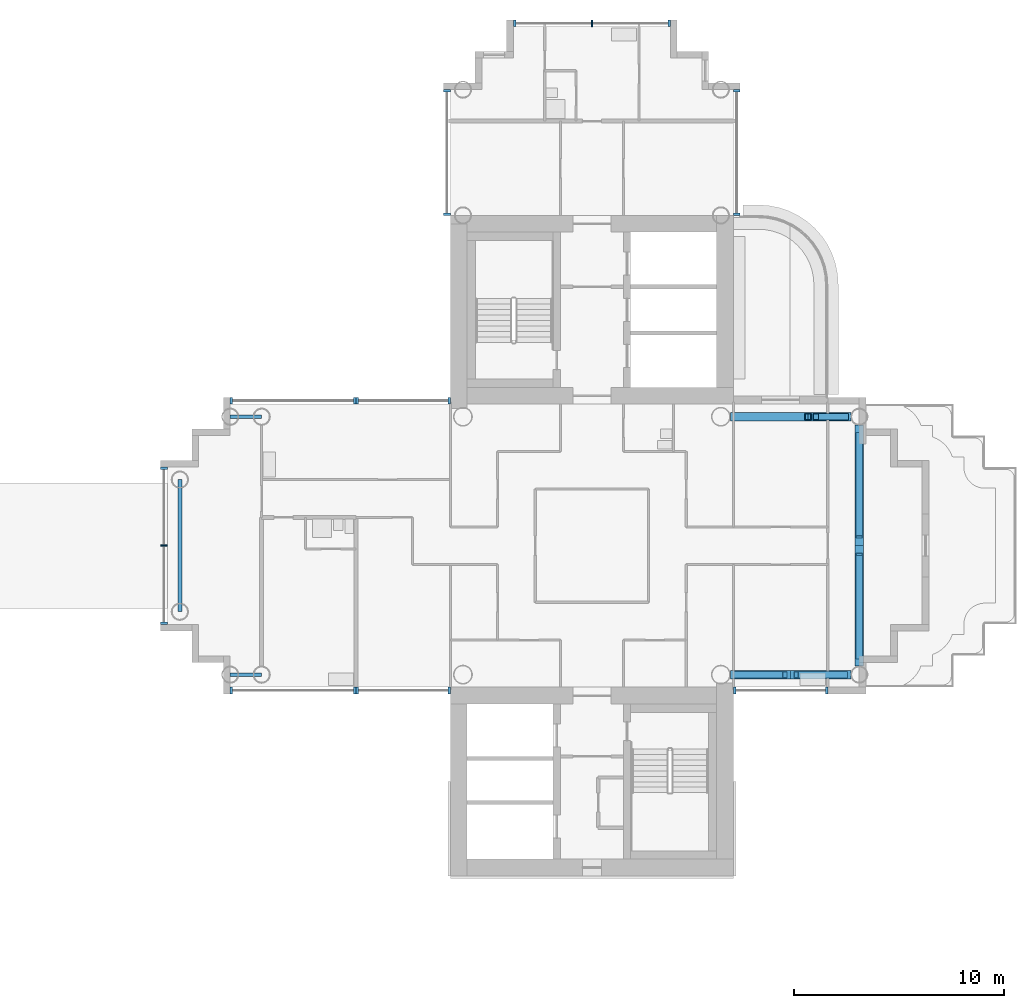
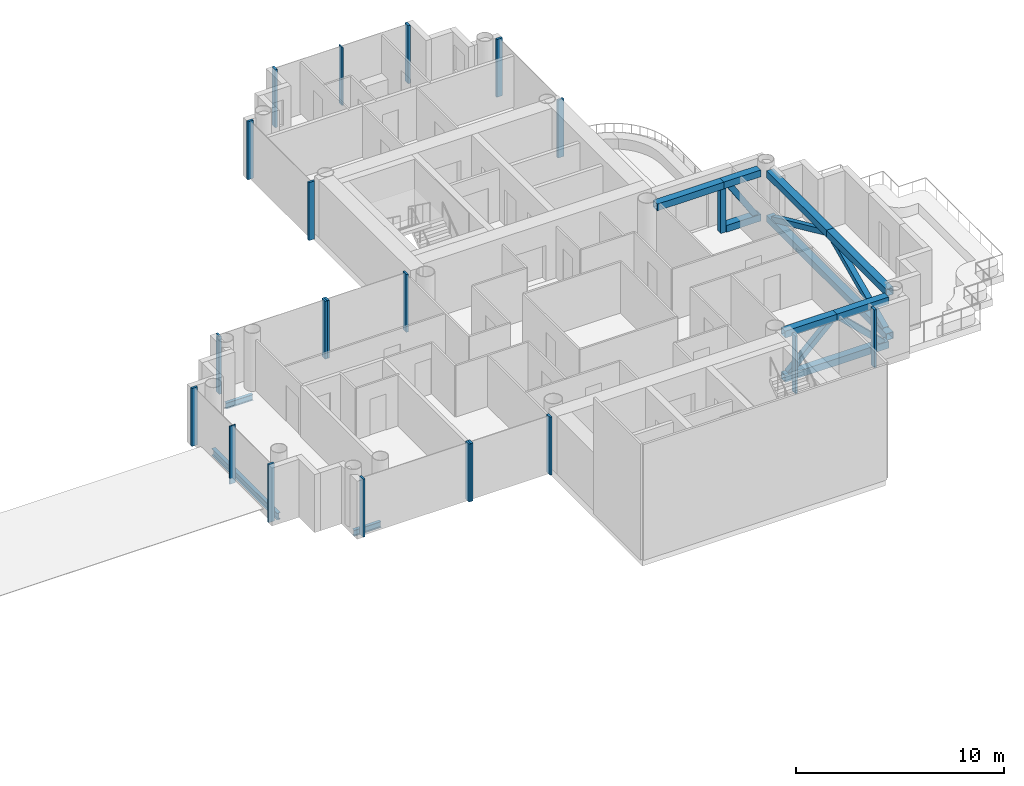
# One storey, part 4 of 19: 35 members, 3 beams, 9 elements without a shape of their own.
"""IFC4 building model written with IfcOpenShell, lengths in metres."""

from ifc_helpers import new_model, si_unit, direction, frame, origin, origin_2d, place, context, subcontext, project, spatial, rectangle, hollow_rectangle, i_section, extrude, material, layer, layer_set, material_profile, profile_set, type_object, element, aggregate, save


model = new_model("IFC4")

# Units and contexts
model_context = context("Model", 3, precision=1e-05, world=origin(), true_north=direction((0.0, 1.0)))
body_context = subcontext(model_context, "Body", "Model", "MODEL_VIEW")
ifc_project = project(units=[si_unit("LENGTHUNIT", "METRE"), si_unit("AREAUNIT", "SQUARE_METRE"), si_unit("VOLUMEUNIT", "CUBIC_METRE"), si_unit("PLANEANGLEUNIT", "RADIAN"), si_unit("MASSUNIT", "GRAM", prefix="KILO")], contexts=[model_context])

# Site, building, storey
site_placement = place(None, origin())
site = spatial("IfcSite", under=ifc_project, at=site_placement, CompositionType="ELEMENT")
building_placement = place(site_placement, origin())
building = spatial("IfcBuilding", under=site, at=building_placement, Name="Ipe Terrace Towers", CompositionType="ELEMENT")
storey_placement = place(building_placement, frame((0.0, 0.0, 133.699951171875)))
storey = spatial("IfcBuildingStorey", under=building, at=storey_placement, Name="L36", CompositionType="ELEMENT", Elevation=133.699951171875)

# Members
ifc_material_1 = material(Name="Steel S355", Category="steel")
ifc_material_profile_1 = material_profile(ifc_material_1, hollow_rectangle(XDim=0.300048828125, YDim=0.300048828125, WallThickness=0.01611328125, at=origin_2d()), Name="BELT-BRACE BOX 300x300x16")
ifc_profile_set_1 = profile_set([ifc_material_profile_1], Name="Steel S355")
member_type_1 = type_object("IfcMemberType", Name="BELT-BRACE BOX 300x300x16", PredefinedType="BRACE", material=ifc_profile_set_1)
member_1_placement = place(storey_placement, frame((48.116943359375, 6.14990234375, 0.380126953125), z_axis=(-0.539118816942, 0.0, 0.842229719981), x_axis=(0.0, -1.0, 0.0)))
element("IfcMember", 1, at=member_1_placement, inside=storey, type_object=member_type_1, Name="T2-BT-L36-047 diagonal", PredefinedType="BRACE", context=body_context, shape_type="SweptSolid", body=[
    extrude(hollow_rectangle(XDim=0.300048828125, YDim=0.300048828125, WallThickness=0.01611328125, at=origin_2d()), origin(), (0.0, 0.0, 1.0), 2.65966796875),
])
for number, where, z_axis, x_axis, name in (
    (2, (42.8701171875, -6.14990234375, 0.380126953125), (0.721630032247, 0.0, 0.692278915293), (0.0, 1.0, 0.0), "T2-BT-L36-052 diagonal"),
    (3, (48.080078125, -6.14990234375, 0.380126953125), (-0.721630032247, 0.0, 0.692278915293), (0.0, -1.0, 0.0), "T2-BT-L36-053 diagonal"),
):
    element("IfcMember", number, at=place(storey_placement, frame(where, z_axis=z_axis, x_axis=x_axis)), inside=storey, type_object=member_type_1, Name=name, PredefinedType="BRACE", context=body_context, shape_type="SweptSolid", body=[
        extrude(hollow_rectangle(XDim=0.300048828125, YDim=0.300048828125, WallThickness=0.01611328125, at=origin_2d()), origin(), (0.0, 0.0, 1.0), 3.235595703125),
    ])
for number, where, z_axis, x_axis, name in (
    (4, (48.75, -5.3330078125, 0.380126953125), (0.0, 0.909986915477, 0.414636966105), (-1.0, 0.0, 0.0), "T2-BT-L36-057 diagonal"),
    (5, (48.75, 5.3330078125, 0.380126953125), (0.0, -0.909986915477, 0.414636966105), (1.0, 0.0, 0.0), "T2-BT-L36-058 diagonal"),
):
    element("IfcMember", number, at=place(storey_placement, frame(where, z_axis=z_axis, x_axis=x_axis)), inside=storey, type_object=member_type_1, Name=name, PredefinedType="BRACE", context=body_context, shape_type="SweptSolid", body=[
        extrude(hollow_rectangle(XDim=0.300048828125, YDim=0.300048828125, WallThickness=0.01611328125, at=origin_2d()), origin(), (0.0, 0.0, 1.0), 5.40234375),
    ])
ifc_material_2 = material(Name="Steel S355", Category="steel")
ifc_material_profile_2 = material_profile(ifc_material_2, hollow_rectangle(XDim=0.39990234375, YDim=0.39990234375, WallThickness=0.02001953125, at=origin_2d()), Name="BELT-CHORD BOX 400x400x20")
ifc_profile_set_2 = profile_set([ifc_material_profile_2], Name="Steel S355")
member_type_2 = type_object("IfcMemberType", Name="BELT-CHORD BOX 400x400x20", PredefinedType="CHORD", material=ifc_profile_set_2)
member_2_placement = place(storey_placement, frame((46.449951171875, 6.14990234375, 0.199951171875), z_axis=(1.0, 0.0, 0.0), x_axis=(0.0, 1.0, 0.0)))
element("IfcMember", 6, at=member_2_placement, inside=storey, type_object=member_type_2, Name="T2-BT-L36-046 bottom chord", PredefinedType="CHORD", context=body_context, shape_type="SweptSolid", body=[
    extrude(hollow_rectangle(XDim=0.39990234375, YDim=0.39990234375, WallThickness=0.02001953125, at=origin_2d()), origin(), (0.0, 0.0, 1.0), 1.900146484375),
])
member_3_placement = place(storey_placement, frame((42.60009765625, 6.14990234375, 2.800048828125), z_axis=(1.0, 0.0, 0.0), x_axis=(0.0, 1.0, 0.0)))
element("IfcMember", 7, at=member_3_placement, inside=storey, type_object=member_type_2, Name="T2-BT-L36-049 top chord", PredefinedType="CHORD", context=body_context, shape_type="SweptSolid", body=[
    extrude(hollow_rectangle(XDim=0.39990234375, YDim=0.39990234375, WallThickness=0.02001953125, at=origin_2d()), origin(), (0.0, 0.0, 1.0), 3.699951171875),
])
member_4_placement = place(storey_placement, frame((46.300048828125, 6.14990234375, 2.800048828125), z_axis=(1.0, 0.0, 0.0), x_axis=(0.0, 1.0, 0.0)))
element("IfcMember", 8, at=member_4_placement, inside=storey, type_object=member_type_2, Name="T2-BT-L36-050 top chord", PredefinedType="CHORD", context=body_context, shape_type="SweptSolid", body=[
    extrude(hollow_rectangle(XDim=0.39990234375, YDim=0.39990234375, WallThickness=0.02001953125, at=origin_2d()), origin(), (0.0, 0.0, 1.0), 2.050048828125),
])
member_5_placement = place(storey_placement, frame((42.60009765625, -6.14990234375, 0.199951171875), z_axis=(1.0, 0.0, 0.0), x_axis=(0.0, 1.0, 0.0)))
element("IfcMember", 9, at=member_5_placement, inside=storey, type_object=member_type_2, Name="T2-BT-L36-051 bottom chord", PredefinedType="CHORD", context=body_context, shape_type="SweptSolid", body=[
    extrude(hollow_rectangle(XDim=0.39990234375, YDim=0.39990234375, WallThickness=0.02001953125, at=origin_2d()), origin(), (0.0, 0.0, 1.0), 5.75),
])
for number, where, z_axis, x_axis, name in (
    (10, (42.60009765625, -6.14990234375, 2.800048828125), (1.0, 0.0, 0.0), (0.0, 1.0, 0.0), "T2-BT-L36-054 top chord"),
    (11, (45.47509765625, -6.14990234375, 2.800048828125), (1.0, 0.0, 0.0), (0.0, 1.0, 0.0), "T2-BT-L36-055 top chord"),
):
    element("IfcMember", number, at=place(storey_placement, frame(where, z_axis=z_axis, x_axis=x_axis)), inside=storey, type_object=member_type_2, Name=name, PredefinedType="CHORD", context=body_context, shape_type="SweptSolid", body=[
        extrude(hollow_rectangle(XDim=0.39990234375, YDim=0.39990234375, WallThickness=0.02001953125, at=origin_2d()), origin(), (0.0, 0.0, 1.0), 2.875),
    ])
member_6_placement = place(storey_placement, frame((48.75, -5.75, 0.199951171875), z_axis=(0.0, 1.0, 0.0), x_axis=(-1.0, 0.0, 0.0)))
element("IfcMember", 12, at=member_6_placement, inside=storey, type_object=member_type_2, Name="T2-BT-L36-056 bottom chord", PredefinedType="CHORD", context=body_context, shape_type="SweptSolid", body=[
    extrude(hollow_rectangle(XDim=0.39990234375, YDim=0.39990234375, WallThickness=0.02001953125, at=origin_2d()), origin(), (0.0, 0.0, 1.0), 11.5),
])
for number, where, z_axis, x_axis, name in (
    (13, (48.75, -5.75, 2.800048828125), (0.0, 1.0, 0.0), (-1.0, 0.0, 0.0), "T2-BT-L36-059 top chord"),
    (14, (48.75, 0.0, 2.800048828125), (0.0, 1.0, 0.0), (-1.0, 0.0, 0.0), "T2-BT-L36-060 top chord"),
):
    element("IfcMember", number, at=place(storey_placement, frame(where, z_axis=z_axis, x_axis=x_axis)), inside=storey, type_object=member_type_2, Name=name, PredefinedType="CHORD", context=body_context, shape_type="SweptSolid", body=[
        extrude(hollow_rectangle(XDim=0.39990234375, YDim=0.39990234375, WallThickness=0.02001953125, at=origin_2d()), origin(), (0.0, 0.0, 1.0), 5.75),
    ])
ifc_material_3 = material(Name="Steel S355", Category="steel")
ifc_material_profile_3 = material_profile(ifc_material_3, hollow_rectangle(XDim=0.300048828125, YDim=0.300048828125, WallThickness=0.01611328125, at=origin_2d()), Name="BELT-POST BOX 300x300x16")
ifc_profile_set_3 = profile_set([ifc_material_profile_3], Name="Steel S355")
member_type_3 = type_object("IfcMemberType", Name="BELT-POST BOX 300x300x16", PredefinedType="POST", material=ifc_profile_set_3)
member_7_placement = place(storey_placement, frame((46.300048828125, 6.14990234375, 0.0), z_axis=(0.0, 0.0, 1.0), x_axis=(1.0, 0.0, 0.0)))
element("IfcMember", 15, at=member_7_placement, inside=storey, type_object=member_type_3, Name="T2-BT-L36-048 post", PredefinedType="POST", context=body_context, shape_type="SweptSolid", body=[
    extrude(hollow_rectangle(XDim=0.300048828125, YDim=0.300048828125, WallThickness=0.01611328125, at=origin_2d()), origin(), (0.0, 0.0, 1.0), 2.60009765625),
])

# Beams
ifc_material_4 = material(Name="Steel S355", Category="steel")
ifc_material_profile_4 = material_profile(ifc_material_4, i_section(OverallWidth=0.175048828125, OverallDepth=0.35009765625, WebThickness=0.007080078125, FlangeThickness=0.010986328125, at=origin_2d()), Name="H-350x175x7x11")
ifc_profile_set_4 = profile_set([ifc_material_profile_4], Name="Steel S355")
beam_type_1 = type_object("IfcBeamType", Name="H04 EDGE BEAM H-350x175x7x11", PredefinedType="BEAM", material=ifc_profile_set_4)
for number, where, z_axis, x_axis, name in (
    (16, (20.25, 6.14990234375, -0.574951171875), (-1.0, 0.0, 0.0), (0.0, -1.0, 0.0), "Edge beam T2-EB-B03-B05"),
    (17, (20.25, -6.14990234375, -0.574951171875), (-1.0, 0.0, 0.0), (0.0, -1.0, 0.0), "Edge beam T2-EB-B04-B06"),
):
    element("IfcBeam", number, at=place(storey_placement, frame(where, z_axis=z_axis, x_axis=x_axis)), inside=storey, type_object=beam_type_1, Name=name, PredefinedType="BEAM", context=body_context, shape_type="SweptSolid", body=[
        extrude(i_section(OverallWidth=0.175048828125, OverallDepth=0.35009765625, WebThickness=0.007080078125, FlangeThickness=0.010986328125, at=origin_2d()), origin(), (0.0, 0.0, 1.0), 1.5),
    ])
ifc_material_5 = material(Name="Steel S355", Category="steel")
ifc_material_profile_5 = material_profile(ifc_material_5, i_section(OverallWidth=0.199951171875, OverallDepth=0.39990234375, WebThickness=0.008056640625, FlangeThickness=0.012939453125, at=origin_2d()), Name="H-400x200x8x13")
ifc_profile_set_5 = profile_set([ifc_material_profile_5], Name="Steel S355")
beam_type_2 = type_object("IfcBeamType", Name="H06 EDGE BEAM H-400x200x8x13", PredefinedType="BEAM", material=ifc_profile_set_5)
beam_placement = place(storey_placement, frame((16.35009765625, 3.14990234375, -0.599853515625), z_axis=(0.0, -1.0, 0.0), x_axis=(1.0, 0.0, 0.0)))
element("IfcBeam", 18, at=beam_placement, inside=storey, type_object=beam_type_2, Name="Edge beam T2-EB-B07-B08", PredefinedType="BEAM", context=body_context, shape_type="SweptSolid", body=[
    extrude(i_section(OverallWidth=0.199951171875, OverallDepth=0.39990234375, WebThickness=0.008056640625, FlangeThickness=0.012939453125, at=origin_2d()), origin(), (0.0, 0.0, 1.0), 6.2998046875),
])

# Curtain wall, members
ifc_material_6 = material(Name="Aluminium alloy 6063-T6", Category="aluminium")
ifc_layer = layer(ifc_material_6, 0.320068359375)
ifc_layer_set = layer_set([ifc_layer], Name="TOWER UNITISED CURTAIN WALL")
curtain_wall_type = type_object("IfcCurtainWallType", Name="TOWER UNITISED CURTAIN WALL", PredefinedType="NOTDEFINED", material=ifc_layer_set)
curtain_wall_1_placement = place(storey_placement, origin())
curtain_wall_1 = element("IfcCurtainWall", 19, at=curtain_wall_1_placement, inside=storey, type_object=curtain_wall_type, Name="T2-CW-L36-02a curtain wall", PredefinedType="NOTDEFINED")
ifc_material_7 = material(Name="Aluminium alloy 6063-T6", Category="aluminium")
ifc_material_profile_6 = material_profile(ifc_material_7, rectangle(XDim=0.320068359375, YDim=0.1201171875, at=origin_2d()), Name="TOWER UNITISED CORNER MULLION 320 x 120")
ifc_profile_set_6 = profile_set([ifc_material_profile_6], Name="Aluminium alloy 6063-T6")
member_type_4 = type_object("IfcMemberType", Name="TOWER UNITISED CORNER MULLION 320 x 120", PredefinedType="MULLION", material=ifc_profile_set_6)
member_8_placement = place(storey_placement, frame((42.81005859375, -6.909912109375, -0.300048828125), z_axis=(0.0, 0.0, 1.0), x_axis=(0.0, -1.0, 0.0)))
member_8 = element("IfcMember", 20, at=member_8_placement, type_object=member_type_4, Name="T2-CW-L36-02a mullion 1", PredefinedType="MULLION", context=body_context, shape_type="SweptSolid", body=[
    extrude(rectangle(XDim=0.320068359375, YDim=0.1201171875, at=origin_2d()), origin(), (0.0, 0.0, 1.0), 3.400146484375),
])
member_9_placement = place(storey_placement, frame((47.18994140625, -6.909912109375, -0.300048828125), z_axis=(0.0, 0.0, 1.0), x_axis=(0.0, -1.0, 0.0)))
member_9 = element("IfcMember", 21, at=member_9_placement, type_object=member_type_4, Name="T2-CW-L36-02a mullion 2", PredefinedType="MULLION", context=body_context, shape_type="SweptSolid", body=[
    extrude(rectangle(XDim=0.320068359375, YDim=0.1201171875, at=origin_2d()), origin(), (0.0, 0.0, 1.0), 3.400146484375),
])
aggregate(curtain_wall_1, [member_8, member_9])

curtain_wall_2_placement = place(storey_placement, origin())
curtain_wall_2 = element("IfcCurtainWall", 22, at=curtain_wall_2_placement, inside=storey, type_object=curtain_wall_type, Name="T2-CW-L36-16b curtain wall", PredefinedType="NOTDEFINED")
member_10_placement = place(storey_placement, frame((42.909912109375, 15.81103515625, -0.300048828125), z_axis=(0.0, 0.0, 1.0), x_axis=(1.0, 0.0, 0.0)))
member_10 = element("IfcMember", 23, at=member_10_placement, type_object=member_type_4, Name="T2-CW-L36-16b mullion 1", PredefinedType="MULLION", context=body_context, shape_type="SweptSolid", body=[
    extrude(rectangle(XDim=0.320068359375, YDim=0.1201171875, at=origin_2d()), origin(), (0.0, 0.0, 1.0), 3.400146484375),
])
member_11_placement = place(storey_placement, frame((42.909912109375, 21.68994140625, -0.300048828125), z_axis=(0.0, 0.0, 1.0), x_axis=(1.0, 0.0, 0.0)))
member_11 = element("IfcMember", 24, at=member_11_placement, type_object=member_type_4, Name="T2-CW-L36-16b mullion 2", PredefinedType="MULLION", context=body_context, shape_type="SweptSolid", body=[
    extrude(rectangle(XDim=0.320068359375, YDim=0.1201171875, at=origin_2d()), origin(), (0.0, 0.0, 1.0), 3.400146484375),
])
aggregate(curtain_wall_2, [member_10, member_11])

curtain_wall_3_placement = place(storey_placement, origin())
curtain_wall_3 = element("IfcCurtainWall", 25, at=curtain_wall_3_placement, inside=storey, type_object=curtain_wall_type, Name="T2-CW-L36-21a curtain wall", PredefinedType="NOTDEFINED")
member_12_placement = place(storey_placement, frame((39.68994140625, 24.909912109375, -0.300048828125), z_axis=(0.0, 0.0, 1.0), x_axis=(0.0, 1.0, 0.0)))
member_12 = element("IfcMember", 26, at=member_12_placement, type_object=member_type_4, Name="T2-CW-L36-21a mullion 1", PredefinedType="MULLION", context=body_context, shape_type="SweptSolid", body=[
    extrude(rectangle(XDim=0.320068359375, YDim=0.1201171875, at=origin_2d()), origin(), (0.0, 0.0, 1.0), 3.400146484375),
])
member_13_placement = place(storey_placement, frame((32.31005859375, 24.909912109375, -0.300048828125), z_axis=(0.0, 0.0, 1.0), x_axis=(0.0, 1.0, 0.0)))
member_13 = element("IfcMember", 27, at=member_13_placement, type_object=member_type_4, Name="T2-CW-L36-21a mullion 3", PredefinedType="MULLION", context=body_context, shape_type="SweptSolid", body=[
    extrude(rectangle(XDim=0.320068359375, YDim=0.1201171875, at=origin_2d()), origin(), (0.0, 0.0, 1.0), 3.400146484375),
])

curtain_wall_4_placement = place(storey_placement, origin())
curtain_wall_4 = element("IfcCurtainWall", 28, at=curtain_wall_4_placement, inside=storey, type_object=curtain_wall_type, Name="T2-CW-L36-26a curtain wall", PredefinedType="NOTDEFINED")
member_14_placement = place(storey_placement, frame((29.090087890625, 21.68994140625, -0.300048828125), z_axis=(0.0, 0.0, 1.0), x_axis=(-1.0, 0.0, 0.0)))
member_14 = element("IfcMember", 29, at=member_14_placement, type_object=member_type_4, Name="T2-CW-L36-26a mullion 1", PredefinedType="MULLION", context=body_context, shape_type="SweptSolid", body=[
    extrude(rectangle(XDim=0.320068359375, YDim=0.1201171875, at=origin_2d()), origin(), (0.0, 0.0, 1.0), 3.400146484375),
])
member_15_placement = place(storey_placement, frame((29.090087890625, 15.81103515625, -0.300048828125), z_axis=(0.0, 0.0, 1.0), x_axis=(-1.0, 0.0, 0.0)))
member_15 = element("IfcMember", 30, at=member_15_placement, type_object=member_type_4, Name="T2-CW-L36-26a mullion 2", PredefinedType="MULLION", context=body_context, shape_type="SweptSolid", body=[
    extrude(rectangle(XDim=0.320068359375, YDim=0.1201171875, at=origin_2d()), origin(), (0.0, 0.0, 1.0), 3.400146484375),
])
aggregate(curtain_wall_4, [member_14, member_15])

curtain_wall_5_placement = place(storey_placement, origin())
curtain_wall_5 = element("IfcCurtainWall", 31, at=curtain_wall_5_placement, inside=storey, type_object=curtain_wall_type, Name="T2-CW-L36-28a curtain wall", PredefinedType="NOTDEFINED")
member_16_placement = place(storey_placement, frame((29.18994140625, 6.909912109375, -0.300048828125), z_axis=(0.0, 0.0, 1.0), x_axis=(0.0, 1.0, 0.0)))
member_16 = element("IfcMember", 32, at=member_16_placement, type_object=member_type_4, Name="T2-CW-L36-28a mullion 1", PredefinedType="MULLION", context=body_context, shape_type="SweptSolid", body=[
    extrude(rectangle(XDim=0.320068359375, YDim=0.1201171875, at=origin_2d()), origin(), (0.0, 0.0, 1.0), 3.400146484375),
])
member_17_placement = place(storey_placement, frame((24.81005859375, 6.909912109375, -0.300048828125), z_axis=(0.0, 0.0, 1.0), x_axis=(0.0, 1.0, 0.0)))
member_17 = element("IfcMember", 33, at=member_17_placement, type_object=member_type_4, Name="T2-CW-L36-28a mullion 2", PredefinedType="MULLION", context=body_context, shape_type="SweptSolid", body=[
    extrude(rectangle(XDim=0.320068359375, YDim=0.1201171875, at=origin_2d()), origin(), (0.0, 0.0, 1.0), 3.400146484375),
])
aggregate(curtain_wall_5, [member_16, member_17])

curtain_wall_6_placement = place(storey_placement, origin())
curtain_wall_6 = element("IfcCurtainWall", 34, at=curtain_wall_6_placement, inside=storey, type_object=curtain_wall_type, Name="T2-CW-L36-29a curtain wall", PredefinedType="NOTDEFINED")
member_18_placement = place(storey_placement, frame((24.68994140625, 6.909912109375, -0.300048828125), z_axis=(0.0, 0.0, 1.0), x_axis=(0.0, 1.0, 0.0)))
member_18 = element("IfcMember", 35, at=member_18_placement, type_object=member_type_4, Name="T2-CW-L36-29a mullion 1", PredefinedType="MULLION", context=body_context, shape_type="SweptSolid", body=[
    extrude(rectangle(XDim=0.320068359375, YDim=0.1201171875, at=origin_2d()), origin(), (0.0, 0.0, 1.0), 3.400146484375),
])
member_19_placement = place(storey_placement, frame((18.81005859375, 6.909912109375, -0.300048828125), z_axis=(0.0, 0.0, 1.0), x_axis=(0.0, 1.0, 0.0)))
member_19 = element("IfcMember", 36, at=member_19_placement, type_object=member_type_4, Name="T2-CW-L36-29a mullion 2", PredefinedType="MULLION", context=body_context, shape_type="SweptSolid", body=[
    extrude(rectangle(XDim=0.320068359375, YDim=0.1201171875, at=origin_2d()), origin(), (0.0, 0.0, 1.0), 3.400146484375),
])
aggregate(curtain_wall_6, [member_18, member_19])

curtain_wall_7_placement = place(storey_placement, origin())
curtain_wall_7 = element("IfcCurtainWall", 37, at=curtain_wall_7_placement, inside=storey, type_object=curtain_wall_type, Name="T2-CW-L36-34a curtain wall", PredefinedType="NOTDEFINED")
member_20_placement = place(storey_placement, frame((15.590087890625, 3.68994140625, -0.300048828125), z_axis=(0.0, 0.0, 1.0), x_axis=(-1.0, 0.0, 0.0)))
member_20 = element("IfcMember", 38, at=member_20_placement, type_object=member_type_4, Name="T2-CW-L36-34a mullion 1", PredefinedType="MULLION", context=body_context, shape_type="SweptSolid", body=[
    extrude(rectangle(XDim=0.320068359375, YDim=0.1201171875, at=origin_2d()), origin(), (0.0, 0.0, 1.0), 3.400146484375),
])
member_21_placement = place(storey_placement, frame((15.590087890625, -3.68994140625, -0.300048828125), z_axis=(0.0, 0.0, 1.0), x_axis=(-1.0, 0.0, 0.0)))
member_21 = element("IfcMember", 39, at=member_21_placement, type_object=member_type_4, Name="T2-CW-L36-34a mullion 3", PredefinedType="MULLION", context=body_context, shape_type="SweptSolid", body=[
    extrude(rectangle(XDim=0.320068359375, YDim=0.1201171875, at=origin_2d()), origin(), (0.0, 0.0, 1.0), 3.400146484375),
])

curtain_wall_8_placement = place(storey_placement, origin())
curtain_wall_8 = element("IfcCurtainWall", 40, at=curtain_wall_8_placement, inside=storey, type_object=curtain_wall_type, Name="T2-CW-L36-39a curtain wall", PredefinedType="NOTDEFINED")
member_22_placement = place(storey_placement, frame((18.81005859375, -6.909912109375, -0.300048828125), z_axis=(0.0, 0.0, 1.0), x_axis=(0.0, -1.0, 0.0)))
member_22 = element("IfcMember", 41, at=member_22_placement, type_object=member_type_4, Name="T2-CW-L36-39a mullion 1", PredefinedType="MULLION", context=body_context, shape_type="SweptSolid", body=[
    extrude(rectangle(XDim=0.320068359375, YDim=0.1201171875, at=origin_2d()), origin(), (0.0, 0.0, 1.0), 3.400146484375),
])
member_23_placement = place(storey_placement, frame((24.68994140625, -6.909912109375, -0.300048828125), z_axis=(0.0, 0.0, 1.0), x_axis=(0.0, -1.0, 0.0)))
member_23 = element("IfcMember", 42, at=member_23_placement, type_object=member_type_4, Name="T2-CW-L36-39a mullion 2", PredefinedType="MULLION", context=body_context, shape_type="SweptSolid", body=[
    extrude(rectangle(XDim=0.320068359375, YDim=0.1201171875, at=origin_2d()), origin(), (0.0, 0.0, 1.0), 3.400146484375),
])
aggregate(curtain_wall_8, [member_22, member_23])

curtain_wall_9_placement = place(storey_placement, origin())
curtain_wall_9 = element("IfcCurtainWall", 43, at=curtain_wall_9_placement, inside=storey, type_object=curtain_wall_type, Name="T2-CW-L36-40a curtain wall", PredefinedType="NOTDEFINED")
member_24_placement = place(storey_placement, frame((24.81005859375, -6.909912109375, -0.300048828125), z_axis=(0.0, 0.0, 1.0), x_axis=(0.0, -1.0, 0.0)))
member_24 = element("IfcMember", 44, at=member_24_placement, type_object=member_type_4, Name="T2-CW-L36-40a mullion 1", PredefinedType="MULLION", context=body_context, shape_type="SweptSolid", body=[
    extrude(rectangle(XDim=0.320068359375, YDim=0.1201171875, at=origin_2d()), origin(), (0.0, 0.0, 1.0), 3.400146484375),
])
member_25_placement = place(storey_placement, frame((29.18994140625, -6.909912109375, -0.300048828125), z_axis=(0.0, 0.0, 1.0), x_axis=(0.0, -1.0, 0.0)))
member_25 = element("IfcMember", 45, at=member_25_placement, type_object=member_type_4, Name="T2-CW-L36-40a mullion 2", PredefinedType="MULLION", context=body_context, shape_type="SweptSolid", body=[
    extrude(rectangle(XDim=0.320068359375, YDim=0.1201171875, at=origin_2d()), origin(), (0.0, 0.0, 1.0), 3.400146484375),
])
aggregate(curtain_wall_9, [member_24, member_25])

# Member
ifc_material_8 = material(Name="Aluminium alloy 6063-T6", Category="aluminium")
ifc_material_profile_7 = material_profile(ifc_material_8, rectangle(XDim=0.320068359375, YDim=0.06494140625, at=origin_2d()), Name="TOWER UNITISED MULLION 320 x 65")
ifc_profile_set_7 = profile_set([ifc_material_profile_7], Name="Aluminium alloy 6063-T6")
member_type_5 = type_object("IfcMemberType", Name="TOWER UNITISED MULLION 320 x 65", PredefinedType="MULLION", material=ifc_profile_set_7)
member_26_placement = place(storey_placement, frame((36.0, 24.909912109375, -0.300048828125), z_axis=(0.0, 0.0, 1.0), x_axis=(0.0, 1.0, 0.0)))
member_26 = element("IfcMember", 46, at=member_26_placement, type_object=member_type_5, Name="T2-CW-L36-21a mullion 2", PredefinedType="MULLION", context=body_context, shape_type="SweptSolid", body=[
    extrude(rectangle(XDim=0.320068359375, YDim=0.06494140625, at=origin_2d()), origin(), (0.0, 0.0, 1.0), 3.400146484375),
])

aggregate(curtain_wall_3, [member_12, member_26, member_13])

member_27_placement = place(storey_placement, frame((15.590087890625, 0.0, -0.300048828125), z_axis=(0.0, 0.0, 1.0), x_axis=(-1.0, 0.0, 0.0)))
member_27 = element("IfcMember", 47, at=member_27_placement, type_object=member_type_5, Name="T2-CW-L36-34a mullion 2", PredefinedType="MULLION", context=body_context, shape_type="SweptSolid", body=[
    extrude(rectangle(XDim=0.320068359375, YDim=0.06494140625, at=origin_2d()), origin(), (0.0, 0.0, 1.0), 3.400146484375),
])

aggregate(curtain_wall_7, [member_20, member_27, member_21])

save(model, "model.ifc")
